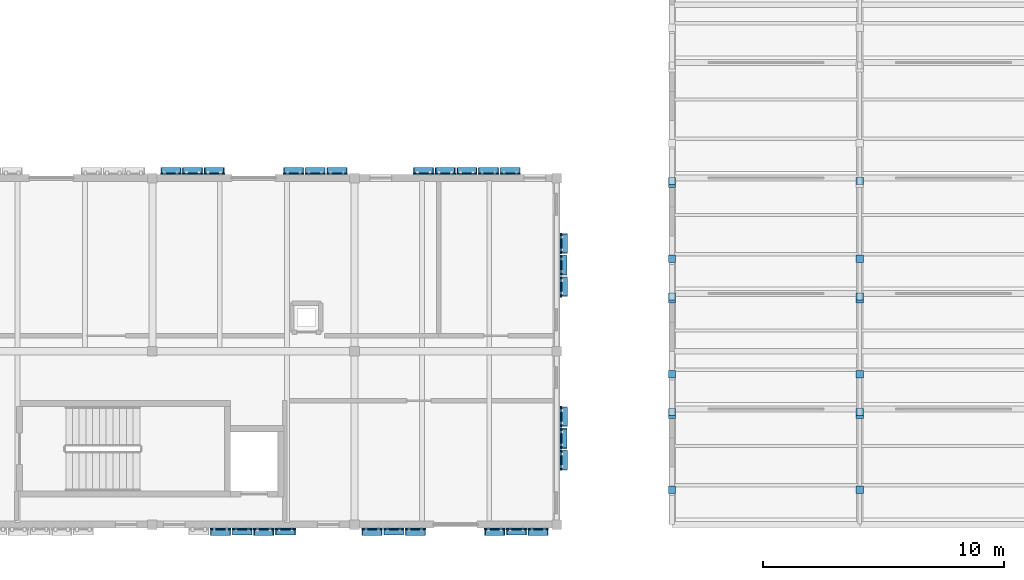
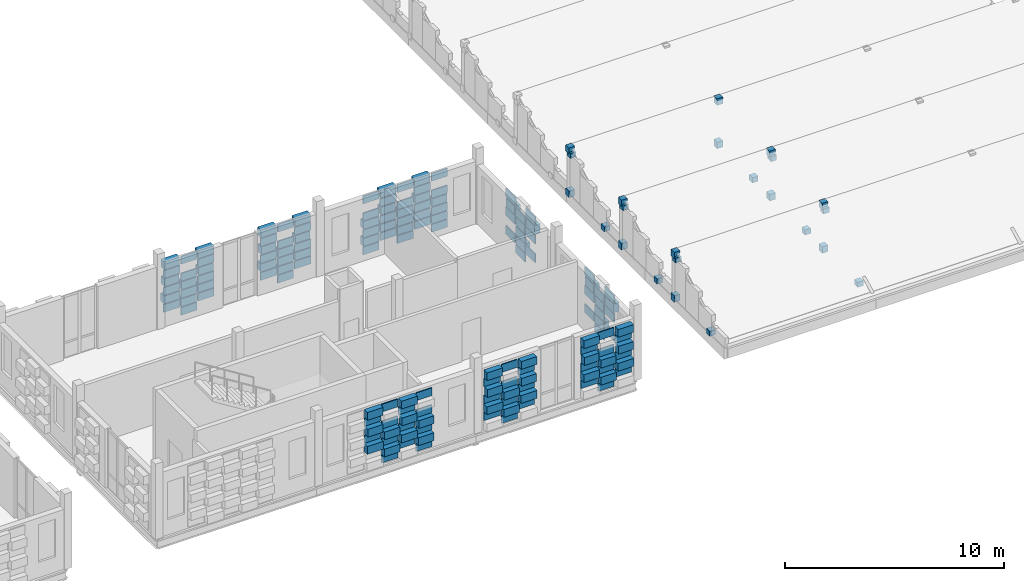
# One storey, part 48 of 81: 174 plates.
"""IFC4 building model written with IfcOpenShell, lengths in metres."""

from ifc_helpers import new_model, si_unit, direction, frame, origin, origin_2d, place, context, subcontext, project, spatial, rectangle, extrude, material, layer, layer_set, type_object, element, save


model = new_model("IFC4")

# Units and contexts
model_context = context("Model", 3, precision=1e-05, world=origin(), true_north=direction((0.0, 1.0)))
body_context = subcontext(model_context, "Body", "Model", "MODEL_VIEW")
ifc_project = project(units=[si_unit("LENGTHUNIT", "METRE"), si_unit("AREAUNIT", "SQUARE_METRE"), si_unit("VOLUMEUNIT", "CUBIC_METRE"), si_unit("PLANEANGLEUNIT", "RADIAN"), si_unit("MASSUNIT", "GRAM", prefix="KILO")], contexts=[model_context])

# Site, building, storey
site_placement = place(None, origin())
site = spatial("IfcSite", under=ifc_project, at=site_placement, CompositionType="ELEMENT")
building_placement = place(site_placement, origin())
building = spatial("IfcBuilding", under=site, at=building_placement, Name="Kahlenmark Community Centre", CompositionType="ELEMENT")
storey_placement = place(building_placement, frame((0.0, 0.0, 9.60009765625)))
storey = spatial("IfcBuildingStorey", under=building, at=storey_placement, Name="L02", CompositionType="ELEMENT", Elevation=9.60009765625)

# Plates
ifc_material_1 = material(Name="Extruded warm terracotta recessed weave tile", Category="masonry")
ifc_layer_1 = layer(ifc_material_1, 0.06005859375)
ifc_layer_set_1 = layer_set([ifc_layer_1], Name="Extruded warm terracotta recessed weave tile")
plate_type_1 = type_object("IfcPlateType", Name="PLT-TC-TC-R10-840X60X433", PredefinedType="SHEET", material=ifc_layer_set_1)
for number, where, z_axis, x_axis, name in (
    (1, (103.72998046875, 8.6201171875, 0.099853515625), (0.0, 0.0, 1.0), (1.0, 0.0, 0.0), "Basketweave terracotta cassette 3116"),
    (2, (103.72998046875, 8.6201171875, 1.0458984375), (0.0, 0.0, 1.0), (1.0, 0.0, 0.0), "Basketweave terracotta cassette 3118"),
    (3, (103.72998046875, 8.6201171875, 1.991943359375), (0.0, 0.0, 1.0), (1.0, 0.0, 0.0), "Basketweave terracotta cassette 3120"),
    (4, (103.72998046875, 8.6201171875, 2.937744140625), (0.0, 0.0, 1.0), (1.0, 0.0, 0.0), "Basketweave terracotta cassette 3122"),
    (5, (105.530029296875, 8.6201171875, 0.099853515625), (0.0, 0.0, 1.0), (1.0, 0.0, 0.0), "Basketweave terracotta cassette 3130"),
    (6, (105.530029296875, 8.6201171875, 1.0458984375), (0.0, 0.0, 1.0), (1.0, 0.0, 0.0), "Basketweave terracotta cassette 3132"),
    (7, (105.530029296875, 8.6201171875, 1.991943359375), (0.0, 0.0, 1.0), (1.0, 0.0, 0.0), "Basketweave terracotta cassette 3134"),
    (8, (105.530029296875, 8.6201171875, 2.937744140625), (0.0, 0.0, 1.0), (1.0, 0.0, 0.0), "Basketweave terracotta cassette 3136"),
    (9, (110.030029296875, 8.6201171875, 0.099853515625), (0.0, 0.0, 1.0), (1.0, 0.0, 0.0), "Basketweave terracotta cassette 3144"),
    (10, (110.030029296875, 8.6201171875, 1.0458984375), (0.0, 0.0, 1.0), (1.0, 0.0, 0.0), "Basketweave terracotta cassette 3146"),
    (11, (110.030029296875, 8.6201171875, 1.991943359375), (0.0, 0.0, 1.0), (1.0, 0.0, 0.0), "Basketweave terracotta cassette 3148"),
    (12, (110.030029296875, 8.6201171875, 2.937744140625), (0.0, 0.0, 1.0), (1.0, 0.0, 0.0), "Basketweave terracotta cassette 3150"),
    (13, (115.1298828125, 8.6201171875, 0.099853515625), (0.0, 0.0, 1.0), (1.0, 0.0, 0.0), "Basketweave terracotta cassette 3165"),
    (14, (115.1298828125, 8.6201171875, 1.0458984375), (0.0, 0.0, 1.0), (1.0, 0.0, 0.0), "Basketweave terracotta cassette 3167"),
    (15, (115.1298828125, 8.6201171875, 1.991943359375), (0.0, 0.0, 1.0), (1.0, 0.0, 0.0), "Basketweave terracotta cassette 3169"),
    (16, (115.1298828125, 8.6201171875, 2.937744140625), (0.0, 0.0, 1.0), (1.0, 0.0, 0.0), "Basketweave terracotta cassette 3171"),
    (17, (106.77001953125, 23.3798828125, 0.099853515625), (0.0, 0.0, 1.0), (-1.0, 0.0, 0.0), "Basketweave terracotta cassette 3228"),
    (18, (106.77001953125, 23.3798828125, 1.0458984375), (0.0, 0.0, 1.0), (-1.0, 0.0, 0.0), "Basketweave terracotta cassette 3230"),
    (19, (106.77001953125, 23.3798828125, 1.991943359375), (0.0, 0.0, 1.0), (-1.0, 0.0, 0.0), "Basketweave terracotta cassette 3232"),
    (20, (106.77001953125, 23.3798828125, 2.937744140625), (0.0, 0.0, 1.0), (-1.0, 0.0, 0.0), "Basketweave terracotta cassette 3234"),
    (21, (101.669921875, 23.3798828125, 0.099853515625), (0.0, 0.0, 1.0), (-1.0, 0.0, 0.0), "Basketweave terracotta cassette 3249"),
    (22, (101.669921875, 23.3798828125, 1.0458984375), (0.0, 0.0, 1.0), (-1.0, 0.0, 0.0), "Basketweave terracotta cassette 3251"),
    (23, (101.669921875, 23.3798828125, 1.991943359375), (0.0, 0.0, 1.0), (-1.0, 0.0, 0.0), "Basketweave terracotta cassette 3253"),
    (24, (101.669921875, 23.3798828125, 2.937744140625), (0.0, 0.0, 1.0), (-1.0, 0.0, 0.0), "Basketweave terracotta cassette 3255"),
    (25, (114.8701171875, 23.3798828125, 0.099853515625), (0.0, 0.0, 1.0), (-1.0, 0.0, 0.0), "Basketweave terracotta cassette 3263"),
    (26, (114.8701171875, 23.3798828125, 1.0458984375), (0.0, 0.0, 1.0), (-1.0, 0.0, 0.0), "Basketweave terracotta cassette 3265"),
    (27, (114.8701171875, 23.3798828125, 1.991943359375), (0.0, 0.0, 1.0), (-1.0, 0.0, 0.0), "Basketweave terracotta cassette 3267"),
    (28, (114.8701171875, 23.3798828125, 2.937744140625), (0.0, 0.0, 1.0), (-1.0, 0.0, 0.0), "Basketweave terracotta cassette 3269"),
    (29, (113.070068359375, 23.3798828125, 0.099853515625), (0.0, 0.0, 1.0), (-1.0, 0.0, 0.0), "Basketweave terracotta cassette 3277"),
    (30, (113.070068359375, 23.3798828125, 1.0458984375), (0.0, 0.0, 1.0), (-1.0, 0.0, 0.0), "Basketweave terracotta cassette 3279"),
    (31, (113.070068359375, 23.3798828125, 1.991943359375), (0.0, 0.0, 1.0), (-1.0, 0.0, 0.0), "Basketweave terracotta cassette 3281"),
    (32, (113.070068359375, 23.3798828125, 2.937744140625), (0.0, 0.0, 1.0), (-1.0, 0.0, 0.0), "Basketweave terracotta cassette 3283"),
    (33, (111.27001953125, 23.3798828125, 0.099853515625), (0.0, 0.0, 1.0), (-1.0, 0.0, 0.0), "Basketweave terracotta cassette 3291"),
    (34, (111.27001953125, 23.3798828125, 1.0458984375), (0.0, 0.0, 1.0), (-1.0, 0.0, 0.0), "Basketweave terracotta cassette 3293"),
    (35, (111.27001953125, 23.3798828125, 1.991943359375), (0.0, 0.0, 1.0), (-1.0, 0.0, 0.0), "Basketweave terracotta cassette 3295"),
    (36, (111.27001953125, 23.3798828125, 2.937744140625), (0.0, 0.0, 1.0), (-1.0, 0.0, 0.0), "Basketweave terracotta cassette 3297"),
):
    element("IfcPlate", number, at=place(storey_placement, frame(where, z_axis=z_axis, x_axis=x_axis)), inside=storey, type_object=plate_type_1, Name=name, PredefinedType="SHEET", context=body_context, shape_type="SweptSolid", body=[
        extrude(rectangle(XDim=0.840087890625, YDim=0.06005859375, at=origin_2d()), origin(), (0.0, 0.0, 1.0), 0.43310546875),
    ])
ifc_layer_2 = layer(ifc_material_1, 0.06005859375)
ifc_layer_set_2 = layer_set([ifc_layer_2], Name="Extruded warm terracotta recessed weave tile")
plate_type_2 = type_object("IfcPlateType", Name="PLT-TC-TC-R10-840X60X478", PredefinedType="SHEET", material=ifc_layer_set_2)
for number, where, z_axis, x_axis, name in (
    (37, (116.97998046875, 12.3798828125, 0.099853515625), (0.0, 0.0, 1.0), (0.0, 1.0, 0.0), "Basketweave terracotta cassette 3346"),
    (38, (116.97998046875, 12.3798828125, 1.135986328125), (0.0, 0.0, 1.0), (0.0, 1.0, 0.0), "Basketweave terracotta cassette 3348"),
    (39, (116.97998046875, 12.3798828125, 2.171875), (0.0, 0.0, 1.0), (0.0, 1.0, 0.0), "Basketweave terracotta cassette 3350"),
    (40, (116.97998046875, 19.580078125, 0.099853515625), (0.0, 0.0, 1.0), (0.0, 1.0, 0.0), "Basketweave terracotta cassette 3364"),
    (41, (116.97998046875, 19.580078125, 1.135986328125), (0.0, 0.0, 1.0), (0.0, 1.0, 0.0), "Basketweave terracotta cassette 3366"),
    (42, (116.97998046875, 19.580078125, 2.171875), (0.0, 0.0, 1.0), (0.0, 1.0, 0.0), "Basketweave terracotta cassette 3368"),
):
    element("IfcPlate", number, at=place(storey_placement, frame(where, z_axis=z_axis, x_axis=x_axis)), inside=storey, type_object=plate_type_2, Name=name, PredefinedType="SHEET", context=body_context, shape_type="SweptSolid", body=[
        extrude(rectangle(XDim=0.840087890625, YDim=0.06005859375, at=origin_2d()), origin(), (0.0, 0.0, 1.0), 0.47802734375),
    ])
ifc_layer_3 = layer(ifc_material_1, 0.06005859375)
ifc_layer_set_3 = layer_set([ifc_layer_3], Name="Extruded warm terracotta recessed weave tile")
plate_type_3 = type_object("IfcPlateType", Name="PLT-TC-TC-R10-860X60X433", PredefinedType="SHEET", material=ifc_layer_set_3)
for number, where, z_axis, x_axis, name in (
    (43, (102.830078125, 8.6201171875, 1.518798828125), (0.0, 0.0, 1.0), (1.0, 0.0, 0.0), "Basketweave terracotta cassette 3112"),
    (44, (102.830078125, 8.6201171875, 2.46484375), (0.0, 0.0, 1.0), (1.0, 0.0, 0.0), "Basketweave terracotta cassette 3114"),
    (45, (104.6298828125, 8.6201171875, 0.57275390625), (0.0, 0.0, 1.0), (1.0, 0.0, 0.0), "Basketweave terracotta cassette 3124"),
    (46, (104.6298828125, 8.6201171875, 1.518798828125), (0.0, 0.0, 1.0), (1.0, 0.0, 0.0), "Basketweave terracotta cassette 3126"),
    (47, (104.6298828125, 8.6201171875, 2.46484375), (0.0, 0.0, 1.0), (1.0, 0.0, 0.0), "Basketweave terracotta cassette 3128"),
    (48, (109.1298828125, 8.6201171875, 0.57275390625), (0.0, 0.0, 1.0), (1.0, 0.0, 0.0), "Basketweave terracotta cassette 3138"),
    (49, (109.1298828125, 8.6201171875, 1.518798828125), (0.0, 0.0, 1.0), (1.0, 0.0, 0.0), "Basketweave terracotta cassette 3140"),
    (50, (109.1298828125, 8.6201171875, 2.46484375), (0.0, 0.0, 1.0), (1.0, 0.0, 0.0), "Basketweave terracotta cassette 3142"),
    (51, (110.929931640625, 8.6201171875, 0.57275390625), (0.0, 0.0, 1.0), (1.0, 0.0, 0.0), "Basketweave terracotta cassette 3152"),
    (52, (110.929931640625, 8.6201171875, 1.518798828125), (0.0, 0.0, 1.0), (1.0, 0.0, 0.0), "Basketweave terracotta cassette 3154"),
    (53, (110.929931640625, 8.6201171875, 2.46484375), (0.0, 0.0, 1.0), (1.0, 0.0, 0.0), "Basketweave terracotta cassette 3156"),
    (54, (114.22998046875, 8.6201171875, 0.57275390625), (0.0, 0.0, 1.0), (1.0, 0.0, 0.0), "Basketweave terracotta cassette 3159"),
    (55, (114.22998046875, 8.6201171875, 1.518798828125), (0.0, 0.0, 1.0), (1.0, 0.0, 0.0), "Basketweave terracotta cassette 3161"),
    (56, (114.22998046875, 8.6201171875, 2.46484375), (0.0, 0.0, 1.0), (1.0, 0.0, 0.0), "Basketweave terracotta cassette 3163"),
    (57, (116.030029296875, 8.6201171875, 0.57275390625), (0.0, 0.0, 1.0), (1.0, 0.0, 0.0), "Basketweave terracotta cassette 3173"),
    (58, (116.030029296875, 8.6201171875, 1.518798828125), (0.0, 0.0, 1.0), (1.0, 0.0, 0.0), "Basketweave terracotta cassette 3175"),
    (59, (116.030029296875, 8.6201171875, 2.46484375), (0.0, 0.0, 1.0), (1.0, 0.0, 0.0), "Basketweave terracotta cassette 3177"),
    (60, (107.669921875, 23.3798828125, 0.57275390625), (0.0, 0.0, 1.0), (-1.0, 0.0, 0.0), "Basketweave terracotta cassette 3222"),
    (61, (107.669921875, 23.3798828125, 1.518798828125), (0.0, 0.0, 1.0), (-1.0, 0.0, 0.0), "Basketweave terracotta cassette 3224"),
    (62, (107.669921875, 23.3798828125, 2.46484375), (0.0, 0.0, 1.0), (-1.0, 0.0, 0.0), "Basketweave terracotta cassette 3226"),
    (63, (105.8701171875, 23.3798828125, 0.57275390625), (0.0, 0.0, 1.0), (-1.0, 0.0, 0.0), "Basketweave terracotta cassette 3236"),
    (64, (105.8701171875, 23.3798828125, 1.518798828125), (0.0, 0.0, 1.0), (-1.0, 0.0, 0.0), "Basketweave terracotta cassette 3238"),
    (65, (105.8701171875, 23.3798828125, 2.46484375), (0.0, 0.0, 1.0), (-1.0, 0.0, 0.0), "Basketweave terracotta cassette 3240"),
    (66, (102.570068359375, 23.3798828125, 0.57275390625), (0.0, 0.0, 1.0), (-1.0, 0.0, 0.0), "Basketweave terracotta cassette 3243"),
    (67, (102.570068359375, 23.3798828125, 1.518798828125), (0.0, 0.0, 1.0), (-1.0, 0.0, 0.0), "Basketweave terracotta cassette 3245"),
    (68, (102.570068359375, 23.3798828125, 2.46484375), (0.0, 0.0, 1.0), (-1.0, 0.0, 0.0), "Basketweave terracotta cassette 3247"),
    (69, (100.77001953125, 23.3798828125, 0.57275390625), (0.0, 0.0, 1.0), (-1.0, 0.0, 0.0), "Basketweave terracotta cassette 3257"),
    (70, (100.77001953125, 23.3798828125, 1.518798828125), (0.0, 0.0, 1.0), (-1.0, 0.0, 0.0), "Basketweave terracotta cassette 3259"),
    (71, (100.77001953125, 23.3798828125, 2.46484375), (0.0, 0.0, 1.0), (-1.0, 0.0, 0.0), "Basketweave terracotta cassette 3261"),
    (72, (113.969970703125, 23.3798828125, 0.57275390625), (0.0, 0.0, 1.0), (-1.0, 0.0, 0.0), "Basketweave terracotta cassette 3271"),
    (73, (113.969970703125, 23.3798828125, 1.518798828125), (0.0, 0.0, 1.0), (-1.0, 0.0, 0.0), "Basketweave terracotta cassette 3273"),
    (74, (113.969970703125, 23.3798828125, 2.46484375), (0.0, 0.0, 1.0), (-1.0, 0.0, 0.0), "Basketweave terracotta cassette 3275"),
    (75, (112.169921875, 23.3798828125, 0.57275390625), (0.0, 0.0, 1.0), (-1.0, 0.0, 0.0), "Basketweave terracotta cassette 3285"),
    (76, (112.169921875, 23.3798828125, 1.518798828125), (0.0, 0.0, 1.0), (-1.0, 0.0, 0.0), "Basketweave terracotta cassette 3287"),
    (77, (112.169921875, 23.3798828125, 2.46484375), (0.0, 0.0, 1.0), (-1.0, 0.0, 0.0), "Basketweave terracotta cassette 3289"),
):
    element("IfcPlate", number, at=place(storey_placement, frame(where, z_axis=z_axis, x_axis=x_axis)), inside=storey, type_object=plate_type_3, Name=name, PredefinedType="SHEET", context=body_context, shape_type="SweptSolid", body=[
        extrude(rectangle(XDim=0.860107421875, YDim=0.06005859375, at=origin_2d()), origin(), (0.0, 0.0, 1.0), 0.43310546875),
    ])
ifc_layer_4 = layer(ifc_material_1, 0.06005859375)
ifc_layer_set_4 = layer_set([ifc_layer_4], Name="Extruded warm terracotta recessed weave tile")
plate_type_4 = type_object("IfcPlateType", Name="PLT-TC-TC-R10-860X60X478", PredefinedType="SHEET", material=ifc_layer_set_4)
for number, where, z_axis, x_axis, name in (
    (78, (116.97998046875, 11.47998046875, 0.617919921875), (0.0, 0.0, 1.0), (0.0, 1.0, 0.0), "Basketweave terracotta cassette 3341"),
    (79, (116.97998046875, 11.47998046875, 1.65380859375), (0.0, 0.0, 1.0), (0.0, 1.0, 0.0), "Basketweave terracotta cassette 3343"),
    (80, (116.97998046875, 11.47998046875, 2.68994140625), (0.0, 0.0, 1.0), (0.0, 1.0, 0.0), "Basketweave terracotta cassette 3345"),
    (81, (116.97998046875, 13.280029296875, 0.617919921875), (0.0, 0.0, 1.0), (0.0, 1.0, 0.0), "Basketweave terracotta cassette 3353"),
    (82, (116.97998046875, 13.280029296875, 1.65380859375), (0.0, 0.0, 1.0), (0.0, 1.0, 0.0), "Basketweave terracotta cassette 3355"),
    (83, (116.97998046875, 13.280029296875, 2.68994140625), (0.0, 0.0, 1.0), (0.0, 1.0, 0.0), "Basketweave terracotta cassette 3357"),
    (84, (116.97998046875, 18.679931640625, 0.617919921875), (0.0, 0.0, 1.0), (0.0, 1.0, 0.0), "Basketweave terracotta cassette 3359"),
    (85, (116.97998046875, 18.679931640625, 1.65380859375), (0.0, 0.0, 1.0), (0.0, 1.0, 0.0), "Basketweave terracotta cassette 3361"),
    (86, (116.97998046875, 18.679931640625, 2.68994140625), (0.0, 0.0, 1.0), (0.0, 1.0, 0.0), "Basketweave terracotta cassette 3363"),
    (87, (116.97998046875, 20.47998046875, 0.617919921875), (0.0, 0.0, 1.0), (0.0, 1.0, 0.0), "Basketweave terracotta cassette 3371"),
    (88, (116.97998046875, 20.47998046875, 1.65380859375), (0.0, 0.0, 1.0), (0.0, 1.0, 0.0), "Basketweave terracotta cassette 3373"),
    (89, (116.97998046875, 20.47998046875, 2.68994140625), (0.0, 0.0, 1.0), (0.0, 1.0, 0.0), "Basketweave terracotta cassette 3375"),
):
    element("IfcPlate", number, at=place(storey_placement, frame(where, z_axis=z_axis, x_axis=x_axis)), inside=storey, type_object=plate_type_4, Name=name, PredefinedType="SHEET", context=body_context, shape_type="SweptSolid", body=[
        extrude(rectangle(XDim=0.860107421875, YDim=0.06005859375, at=origin_2d()), origin(), (0.0, 0.0, 1.0), 0.47802734375),
    ])
ifc_material_2 = material(Name="Extruded glazed terracotta weave cassette", Category="masonry")
ifc_layer_5 = layer(ifc_material_2, 0.300048828125)
ifc_layer_set_5 = layer_set([ifc_layer_5], Name="Extruded glazed terracotta weave cassette")
plate_type_5 = type_object("IfcPlateType", Name="PLT-TC-TC-R34-780X300X433", PredefinedType="SHEET", material=ifc_layer_set_5)
for number, where, z_axis, x_axis, name in (
    (90, (102.830078125, 8.5, 1.991943359375), (0.0, 0.0, 1.0), (1.0, 0.0, 0.0), "Basketweave terracotta cassette 3113"),
    (91, (104.6298828125, 8.5, 1.991943359375), (0.0, 0.0, 1.0), (1.0, 0.0, 0.0), "Basketweave terracotta cassette 3127"),
    (92, (109.1298828125, 8.5, 1.991943359375), (0.0, 0.0, 1.0), (1.0, 0.0, 0.0), "Basketweave terracotta cassette 3141"),
    (93, (110.929931640625, 8.5, 1.991943359375), (0.0, 0.0, 1.0), (1.0, 0.0, 0.0), "Basketweave terracotta cassette 3155"),
    (94, (114.22998046875, 8.5, 1.991943359375), (0.0, 0.0, 1.0), (1.0, 0.0, 0.0), "Basketweave terracotta cassette 3162"),
    (95, (116.030029296875, 8.5, 1.991943359375), (0.0, 0.0, 1.0), (1.0, 0.0, 0.0), "Basketweave terracotta cassette 3176"),
    (96, (107.669921875, 23.5, 1.991943359375), (0.0, 0.0, 1.0), (-1.0, 0.0, 0.0), "Basketweave terracotta cassette 3225"),
    (97, (105.8701171875, 23.5, 1.991943359375), (0.0, 0.0, 1.0), (-1.0, 0.0, 0.0), "Basketweave terracotta cassette 3239"),
    (98, (102.570068359375, 23.5, 1.991943359375), (0.0, 0.0, 1.0), (-1.0, 0.0, 0.0), "Basketweave terracotta cassette 3246"),
    (99, (100.77001953125, 23.5, 1.991943359375), (0.0, 0.0, 1.0), (-1.0, 0.0, 0.0), "Basketweave terracotta cassette 3260"),
    (100, (113.969970703125, 23.5, 1.991943359375), (0.0, 0.0, 1.0), (-1.0, 0.0, 0.0), "Basketweave terracotta cassette 3274"),
    (101, (112.169921875, 23.5, 1.991943359375), (0.0, 0.0, 1.0), (-1.0, 0.0, 0.0), "Basketweave terracotta cassette 3288"),
):
    element("IfcPlate", number, at=place(storey_placement, frame(where, z_axis=z_axis, x_axis=x_axis)), inside=storey, type_object=plate_type_5, Name=name, PredefinedType="SHEET", context=body_context, shape_type="SweptSolid", body=[
        extrude(rectangle(XDim=0.780029296875, YDim=0.300048828125, at=origin_2d()), origin(), (0.0, 0.0, 1.0), 0.43310546875),
    ])
ifc_layer_6 = layer(ifc_material_2, 0.300048828125)
ifc_layer_set_6 = layer_set([ifc_layer_6], Name="Extruded glazed terracotta weave cassette")
plate_type_6 = type_object("IfcPlateType", Name="PLT-TC-TC-R34-780X300X478", PredefinedType="SHEET", material=ifc_layer_set_6)
for number, where, z_axis, x_axis, name in (
    (102, (117.10009765625, 11.47998046875, 2.171875), (0.0, 0.0, 1.0), (0.0, 1.0, 0.0), "Basketweave terracotta cassette 3344"),
    (103, (117.10009765625, 13.280029296875, 2.171875), (0.0, 0.0, 1.0), (0.0, 1.0, 0.0), "Basketweave terracotta cassette 3356"),
    (104, (117.10009765625, 18.679931640625, 2.171875), (0.0, 0.0, 1.0), (0.0, 1.0, 0.0), "Basketweave terracotta cassette 3362"),
    (105, (117.10009765625, 20.47998046875, 2.171875), (0.0, 0.0, 1.0), (0.0, 1.0, 0.0), "Basketweave terracotta cassette 3374"),
):
    element("IfcPlate", number, at=place(storey_placement, frame(where, z_axis=z_axis, x_axis=x_axis)), inside=storey, type_object=plate_type_6, Name=name, PredefinedType="SHEET", context=body_context, shape_type="SweptSolid", body=[
        extrude(rectangle(XDim=0.780029296875, YDim=0.300048828125, at=origin_2d()), origin(), (0.0, 0.0, 1.0), 0.47802734375),
    ])
ifc_layer_7 = layer(ifc_material_2, 0.300048828125)
ifc_layer_set_7 = layer_set([ifc_layer_7], Name="Extruded glazed terracotta weave cassette")
plate_type_7 = type_object("IfcPlateType", Name="PLT-TC-TC-R34-820X300X433", PredefinedType="SHEET", material=ifc_layer_set_7)
for number, where, z_axis, x_axis, name in (
    (106, (102.830078125, 8.5, 2.937744140625), (0.0, 0.0, 1.0), (1.0, 0.0, 0.0), "Basketweave terracotta cassette 3115"),
    (107, (104.6298828125, 8.5, 2.937744140625), (0.0, 0.0, 1.0), (1.0, 0.0, 0.0), "Basketweave terracotta cassette 3129"),
    (108, (109.1298828125, 8.5, 2.937744140625), (0.0, 0.0, 1.0), (1.0, 0.0, 0.0), "Basketweave terracotta cassette 3143"),
    (109, (110.929931640625, 8.5, 2.937744140625), (0.0, 0.0, 1.0), (1.0, 0.0, 0.0), "Basketweave terracotta cassette 3157"),
    (110, (114.22998046875, 8.5, 2.937744140625), (0.0, 0.0, 1.0), (1.0, 0.0, 0.0), "Basketweave terracotta cassette 3164"),
    (111, (116.030029296875, 8.5, 2.937744140625), (0.0, 0.0, 1.0), (1.0, 0.0, 0.0), "Basketweave terracotta cassette 3178"),
    (112, (107.669921875, 23.5, 2.937744140625), (0.0, 0.0, 1.0), (-1.0, 0.0, 0.0), "Basketweave terracotta cassette 3227"),
    (113, (105.8701171875, 23.5, 2.937744140625), (0.0, 0.0, 1.0), (-1.0, 0.0, 0.0), "Basketweave terracotta cassette 3241"),
    (114, (102.570068359375, 23.5, 2.937744140625), (0.0, 0.0, 1.0), (-1.0, 0.0, 0.0), "Basketweave terracotta cassette 3248"),
    (115, (100.77001953125, 23.5, 2.937744140625), (0.0, 0.0, 1.0), (-1.0, 0.0, 0.0), "Basketweave terracotta cassette 3262"),
    (116, (113.969970703125, 23.5, 2.937744140625), (0.0, 0.0, 1.0), (-1.0, 0.0, 0.0), "Basketweave terracotta cassette 3276"),
    (117, (112.169921875, 23.5, 2.937744140625), (0.0, 0.0, 1.0), (-1.0, 0.0, 0.0), "Basketweave terracotta cassette 3290"),
):
    element("IfcPlate", number, at=place(storey_placement, frame(where, z_axis=z_axis, x_axis=x_axis)), inside=storey, type_object=plate_type_7, Name=name, PredefinedType="SHEET", context=body_context, shape_type="SweptSolid", body=[
        extrude(rectangle(XDim=0.820068359375, YDim=0.300048828125, at=origin_2d()), origin(), (0.0, 0.0, 1.0), 0.43310546875),
    ])
ifc_layer_8 = layer(ifc_material_2, 0.300048828125)
ifc_layer_set_8 = layer_set([ifc_layer_8], Name="Extruded glazed terracotta weave cassette")
plate_type_8 = type_object("IfcPlateType", Name="PLT-TC-TC-R34-840X300X433", PredefinedType="SHEET", material=ifc_layer_set_8)
for number, where, z_axis, x_axis, name in (
    (118, (102.830078125, 8.5, 1.0458984375), (0.0, 0.0, 1.0), (1.0, 0.0, 0.0), "Basketweave terracotta cassette 3111"),
    (119, (104.6298828125, 8.5, 1.0458984375), (0.0, 0.0, 1.0), (1.0, 0.0, 0.0), "Basketweave terracotta cassette 3125"),
    (120, (109.1298828125, 8.5, 1.0458984375), (0.0, 0.0, 1.0), (1.0, 0.0, 0.0), "Basketweave terracotta cassette 3139"),
    (121, (110.929931640625, 8.5, 1.0458984375), (0.0, 0.0, 1.0), (1.0, 0.0, 0.0), "Basketweave terracotta cassette 3153"),
    (122, (114.22998046875, 8.5, 1.0458984375), (0.0, 0.0, 1.0), (1.0, 0.0, 0.0), "Basketweave terracotta cassette 3160"),
    (123, (116.030029296875, 8.5, 1.0458984375), (0.0, 0.0, 1.0), (1.0, 0.0, 0.0), "Basketweave terracotta cassette 3174"),
    (124, (107.669921875, 23.5, 1.0458984375), (0.0, 0.0, 1.0), (-1.0, 0.0, 0.0), "Basketweave terracotta cassette 3223"),
    (125, (105.8701171875, 23.5, 1.0458984375), (0.0, 0.0, 1.0), (-1.0, 0.0, 0.0), "Basketweave terracotta cassette 3237"),
    (126, (102.570068359375, 23.5, 1.0458984375), (0.0, 0.0, 1.0), (-1.0, 0.0, 0.0), "Basketweave terracotta cassette 3244"),
    (127, (100.77001953125, 23.5, 1.0458984375), (0.0, 0.0, 1.0), (-1.0, 0.0, 0.0), "Basketweave terracotta cassette 3258"),
    (128, (113.969970703125, 23.5, 1.0458984375), (0.0, 0.0, 1.0), (-1.0, 0.0, 0.0), "Basketweave terracotta cassette 3272"),
    (129, (112.169921875, 23.5, 1.0458984375), (0.0, 0.0, 1.0), (-1.0, 0.0, 0.0), "Basketweave terracotta cassette 3286"),
):
    element("IfcPlate", number, at=place(storey_placement, frame(where, z_axis=z_axis, x_axis=x_axis)), inside=storey, type_object=plate_type_8, Name=name, PredefinedType="SHEET", context=body_context, shape_type="SweptSolid", body=[
        extrude(rectangle(XDim=0.840087890625, YDim=0.300048828125, at=origin_2d()), origin(), (0.0, 0.0, 1.0), 0.43310546875),
    ])
ifc_layer_9 = layer(ifc_material_2, 0.280029296875)
ifc_layer_set_9 = layer_set([ifc_layer_9], Name="Extruded glazed terracotta weave cassette")
plate_type_9 = type_object("IfcPlateType", Name="PLT-TC-TC-W30-800X280X433", PredefinedType="SHEET", material=ifc_layer_set_9)
for number, where, z_axis, x_axis, name in (
    (130, (103.72998046875, 8.510009765625, 1.518798828125), (0.0, 0.0, 1.0), (1.0, 0.0, 0.0), "Basketweave terracotta cassette 3119"),
    (131, (105.530029296875, 8.510009765625, 1.518798828125), (0.0, 0.0, 1.0), (1.0, 0.0, 0.0), "Basketweave terracotta cassette 3133"),
    (132, (110.030029296875, 8.510009765625, 1.518798828125), (0.0, 0.0, 1.0), (1.0, 0.0, 0.0), "Basketweave terracotta cassette 3147"),
    (133, (115.1298828125, 8.510009765625, 1.518798828125), (0.0, 0.0, 1.0), (1.0, 0.0, 0.0), "Basketweave terracotta cassette 3168"),
    (134, (106.77001953125, 23.489990234375, 1.518798828125), (0.0, 0.0, 1.0), (-1.0, 0.0, 0.0), "Basketweave terracotta cassette 3231"),
    (135, (101.669921875, 23.489990234375, 1.518798828125), (0.0, 0.0, 1.0), (-1.0, 0.0, 0.0), "Basketweave terracotta cassette 3252"),
    (136, (114.8701171875, 23.489990234375, 1.518798828125), (0.0, 0.0, 1.0), (-1.0, 0.0, 0.0), "Basketweave terracotta cassette 3266"),
    (137, (113.070068359375, 23.489990234375, 1.518798828125), (0.0, 0.0, 1.0), (-1.0, 0.0, 0.0), "Basketweave terracotta cassette 3280"),
    (138, (111.27001953125, 23.489990234375, 1.518798828125), (0.0, 0.0, 1.0), (-1.0, 0.0, 0.0), "Basketweave terracotta cassette 3294"),
):
    element("IfcPlate", number, at=place(storey_placement, frame(where, z_axis=z_axis, x_axis=x_axis)), inside=storey, type_object=plate_type_9, Name=name, PredefinedType="SHEET", context=body_context, shape_type="SweptSolid", body=[
        extrude(rectangle(XDim=0.800048828125, YDim=0.280029296875, at=origin_2d()), origin(), (0.0, 0.0, 1.0), 0.43310546875),
    ])
ifc_layer_10 = layer(ifc_material_2, 0.280029296875)
ifc_layer_set_10 = layer_set([ifc_layer_10], Name="Extruded glazed terracotta weave cassette")
plate_type_10 = type_object("IfcPlateType", Name="PLT-TC-TC-W30-800X280X478", PredefinedType="SHEET", material=ifc_layer_set_10)
for number, where, z_axis, x_axis, name in (
    (139, (117.090087890625, 12.3798828125, 1.65380859375), (0.0, 0.0, 1.0), (0.0, 1.0, 0.0), "Basketweave terracotta cassette 3349"),
    (140, (117.090087890625, 19.580078125, 1.65380859375), (0.0, 0.0, 1.0), (0.0, 1.0, 0.0), "Basketweave terracotta cassette 3367"),
):
    element("IfcPlate", number, at=place(storey_placement, frame(where, z_axis=z_axis, x_axis=x_axis)), inside=storey, type_object=plate_type_10, Name=name, PredefinedType="SHEET", context=body_context, shape_type="SweptSolid", body=[
        extrude(rectangle(XDim=0.800048828125, YDim=0.280029296875, at=origin_2d()), origin(), (0.0, 0.0, 1.0), 0.47802734375),
    ])
ifc_layer_11 = layer(ifc_material_2, 0.280029296875)
ifc_layer_set_11 = layer_set([ifc_layer_11], Name="Extruded glazed terracotta weave cassette")
plate_type_11 = type_object("IfcPlateType", Name="PLT-TC-TC-W30-820X280X433", PredefinedType="SHEET", material=ifc_layer_set_11)
for number, where, z_axis, x_axis, name in (
    (141, (103.72998046875, 8.510009765625, 0.57275390625), (0.0, 0.0, 1.0), (1.0, 0.0, 0.0), "Basketweave terracotta cassette 3117"),
    (142, (105.530029296875, 8.510009765625, 0.57275390625), (0.0, 0.0, 1.0), (1.0, 0.0, 0.0), "Basketweave terracotta cassette 3131"),
    (143, (110.030029296875, 8.510009765625, 0.57275390625), (0.0, 0.0, 1.0), (1.0, 0.0, 0.0), "Basketweave terracotta cassette 3145"),
    (144, (115.1298828125, 8.510009765625, 0.57275390625), (0.0, 0.0, 1.0), (1.0, 0.0, 0.0), "Basketweave terracotta cassette 3166"),
    (145, (106.77001953125, 23.489990234375, 0.57275390625), (0.0, 0.0, 1.0), (-1.0, 0.0, 0.0), "Basketweave terracotta cassette 3229"),
    (146, (101.669921875, 23.489990234375, 0.57275390625), (0.0, 0.0, 1.0), (-1.0, 0.0, 0.0), "Basketweave terracotta cassette 3250"),
    (147, (114.8701171875, 23.489990234375, 0.57275390625), (0.0, 0.0, 1.0), (-1.0, 0.0, 0.0), "Basketweave terracotta cassette 3264"),
    (148, (113.070068359375, 23.489990234375, 0.57275390625), (0.0, 0.0, 1.0), (-1.0, 0.0, 0.0), "Basketweave terracotta cassette 3278"),
    (149, (111.27001953125, 23.489990234375, 0.57275390625), (0.0, 0.0, 1.0), (-1.0, 0.0, 0.0), "Basketweave terracotta cassette 3292"),
):
    element("IfcPlate", number, at=place(storey_placement, frame(where, z_axis=z_axis, x_axis=x_axis)), inside=storey, type_object=plate_type_11, Name=name, PredefinedType="SHEET", context=body_context, shape_type="SweptSolid", body=[
        extrude(rectangle(XDim=0.820068359375, YDim=0.280029296875, at=origin_2d()), origin(), (0.0, 0.0, 1.0), 0.43310546875),
    ])
ifc_layer_12 = layer(ifc_material_2, 0.280029296875)
ifc_layer_set_12 = layer_set([ifc_layer_12], Name="Extruded glazed terracotta weave cassette")
plate_type_12 = type_object("IfcPlateType", Name="PLT-TC-TC-W30-820X280X478", PredefinedType="SHEET", material=ifc_layer_set_12)
for number, where, z_axis, x_axis, name in (
    (150, (117.090087890625, 12.3798828125, 0.617919921875), (0.0, 0.0, 1.0), (0.0, 1.0, 0.0), "Basketweave terracotta cassette 3347"),
    (151, (117.090087890625, 19.580078125, 0.617919921875), (0.0, 0.0, 1.0), (0.0, 1.0, 0.0), "Basketweave terracotta cassette 3365"),
):
    element("IfcPlate", number, at=place(storey_placement, frame(where, z_axis=z_axis, x_axis=x_axis)), inside=storey, type_object=plate_type_12, Name=name, PredefinedType="SHEET", context=body_context, shape_type="SweptSolid", body=[
        extrude(rectangle(XDim=0.820068359375, YDim=0.280029296875, at=origin_2d()), origin(), (0.0, 0.0, 1.0), 0.47802734375),
    ])
ifc_material_3 = material(Name="Steel S355", Category="steel")
ifc_layer_13 = layer(ifc_material_3, 0.02392578125)
ifc_layer_set_13 = layer_set([ifc_layer_13], Name="Steel S355")
plate_type_13 = type_object("IfcPlateType", Name="PT-NODE-SN-01-30X30X28", PredefinedType="USERDEFINED", material=ifc_layer_set_13)
for number, where, z_axis, x_axis, name in (
    (152, (121.60009765625, 13.360107421875, 2.080078125), (0.0, 0.0, 1.0), (1.0, 0.0, 0.0), "Steel hollow-node cap plate 0187"),
    (153, (121.60009765625, 10.25, -0.1201171875), (0.0, 0.0, 1.0), (1.0, 0.0, 0.0), "Steel hollow-node cap plate 0188"),
    (154, (129.39990234375, 13.360107421875, 2.080078125), (0.0, 0.0, 1.0), (1.0, 0.0, 0.0), "Steel hollow-node cap plate 0191"),
    (155, (129.39990234375, 10.25, -0.1201171875), (0.0, 0.0, 1.0), (1.0, 0.0, 0.0), "Steel hollow-node cap plate 0192"),
    (156, (121.60009765625, 18.159912109375, 2.080078125), (0.0, 0.0, 1.0), (1.0, 0.0, 0.0), "Steel hollow-node cap plate 0215"),
    (157, (121.60009765625, 15.050048828125, -0.1201171875), (0.0, 0.0, 1.0), (1.0, 0.0, 0.0), "Steel hollow-node cap plate 0216"),
    (158, (129.39990234375, 18.159912109375, 2.080078125), (0.0, 0.0, 1.0), (1.0, 0.0, 0.0), "Steel hollow-node cap plate 0219"),
    (159, (129.39990234375, 15.050048828125, -0.1201171875), (0.0, 0.0, 1.0), (1.0, 0.0, 0.0), "Steel hollow-node cap plate 0220"),
    (160, (121.60009765625, 22.9599609375, 2.080078125), (0.0, 0.0, 1.0), (1.0, 0.0, 0.0), "Steel hollow-node cap plate 0243"),
    (161, (121.60009765625, 19.85009765625, -0.1201171875), (0.0, 0.0, 1.0), (1.0, 0.0, 0.0), "Steel hollow-node cap plate 0244"),
    (162, (129.39990234375, 19.85009765625, -0.1201171875), (0.0, 0.0, 1.0), (1.0, 0.0, 0.0), "Steel hollow-node cap plate 0248"),
):
    element("IfcPlate", number, at=place(storey_placement, frame(where, z_axis=z_axis, x_axis=x_axis)), inside=storey, type_object=plate_type_13, Name=name, ObjectType="STIFFENER_PLATE", PredefinedType="USERDEFINED", context=body_context, shape_type="SweptSolid", body=[
        extrude(rectangle(XDim=0.300048828125, YDim=0.300048828125, at=origin_2d()), origin(), (0.0, 0.0, 1.0), 0.280029296875),
    ])
ifc_layer_14 = layer(ifc_material_3, 0.02392578125)
ifc_layer_set_14 = layer_set([ifc_layer_14], Name="Steel S355")
plate_type_14 = type_object("IfcPlateType", Name="PT-NODE-SN-01-30X30X36", PredefinedType="USERDEFINED", material=ifc_layer_set_14)
for number, where, z_axis, x_axis, name in (
    (163, (121.60009765625, 13.47998046875, -0.18017578125), (0.0, 0.0, 1.0), (1.0, 0.0, 0.0), "Steel hollow-node cap plate 0185"),
    (164, (121.60009765625, 13.47998046875, 2.23974609375), (0.0, 0.0, 1.0), (1.0, 0.0, 0.0), "Steel hollow-node cap plate 0186"),
    (165, (129.39990234375, 13.47998046875, -0.18017578125), (0.0, 0.0, 1.0), (1.0, 0.0, 0.0), "Steel hollow-node cap plate 0189"),
    (166, (129.39990234375, 13.47998046875, 2.23974609375), (0.0, 0.0, 1.0), (1.0, 0.0, 0.0), "Steel hollow-node cap plate 0190"),
    (167, (121.60009765625, 18.280029296875, -0.18017578125), (0.0, 0.0, 1.0), (1.0, 0.0, 0.0), "Steel hollow-node cap plate 0213"),
    (168, (121.60009765625, 18.280029296875, 2.23974609375), (0.0, 0.0, 1.0), (1.0, 0.0, 0.0), "Steel hollow-node cap plate 0214"),
    (169, (129.39990234375, 18.280029296875, -0.18017578125), (0.0, 0.0, 1.0), (1.0, 0.0, 0.0), "Steel hollow-node cap plate 0217"),
    (170, (129.39990234375, 18.280029296875, 2.23974609375), (0.0, 0.0, 1.0), (1.0, 0.0, 0.0), "Steel hollow-node cap plate 0218"),
    (171, (121.60009765625, 23.080078125, -0.18017578125), (0.0, 0.0, 1.0), (1.0, 0.0, 0.0), "Steel hollow-node cap plate 0241"),
    (172, (121.60009765625, 23.080078125, 2.23974609375), (0.0, 0.0, 1.0), (1.0, 0.0, 0.0), "Steel hollow-node cap plate 0242"),
    (173, (129.39990234375, 23.080078125, -0.18017578125), (0.0, 0.0, 1.0), (1.0, 0.0, 0.0), "Steel hollow-node cap plate 0245"),
    (174, (129.39990234375, 23.080078125, 2.23974609375), (0.0, 0.0, 1.0), (1.0, 0.0, 0.0), "Steel hollow-node cap plate 0246"),
):
    element("IfcPlate", number, at=place(storey_placement, frame(where, z_axis=z_axis, x_axis=x_axis)), inside=storey, type_object=plate_type_14, Name=name, ObjectType="STIFFENER_PLATE", PredefinedType="USERDEFINED", context=body_context, shape_type="SweptSolid", body=[
        extrude(rectangle(XDim=0.300048828125, YDim=0.300048828125, at=origin_2d()), origin(), (0.0, 0.0, 1.0), 0.360107421875),
    ])

save(model, "model.ifc")
